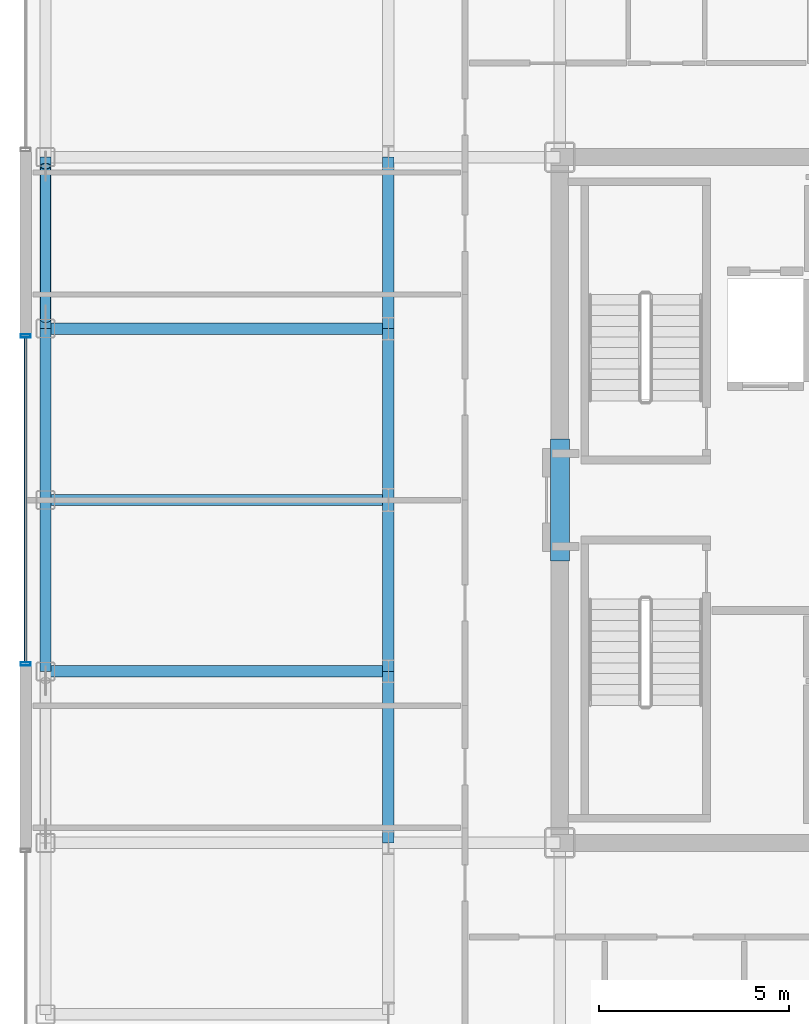
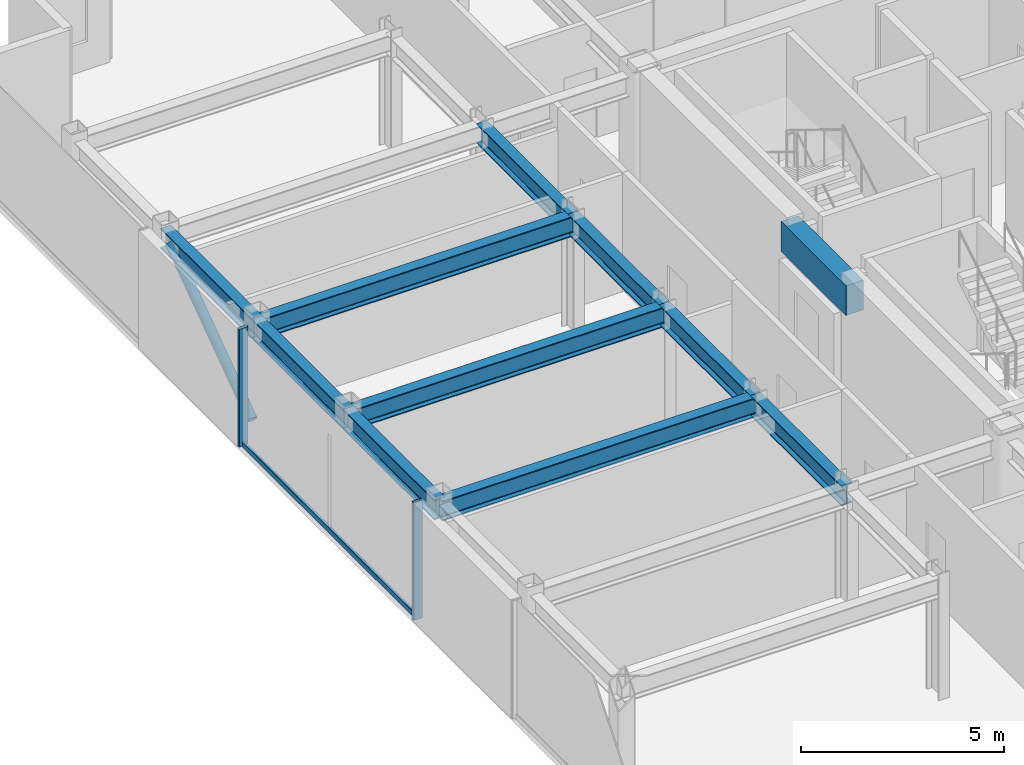
# One storey, part 4 of 18: 11 beams, 4 members, 1 element without a shape of its own.
"""IFC4 building model written with IfcOpenShell, lengths in metres."""

from ifc_helpers import new_model, si_unit, direction, frame, origin, origin_2d, place, context, subcontext, project, spatial, rectangle, hollow_rectangle, hollow_circle, i_section, extrude, source, transform, mapped, material, layer, layer_set, material_profile, profile_set, type_object, element, aggregate, save


model = new_model("IFC4")

# Units and contexts
model_context = context("Model", 3, precision=1e-05, world=origin(), true_north=direction((0.0, 1.0)))
body_context = subcontext(model_context, "Body", "Model", "MODEL_VIEW")
ifc_project = project(units=[si_unit("LENGTHUNIT", "METRE"), si_unit("AREAUNIT", "SQUARE_METRE"), si_unit("VOLUMEUNIT", "CUBIC_METRE"), si_unit("PLANEANGLEUNIT", "RADIAN"), si_unit("MASSUNIT", "GRAM", prefix="KILO")], contexts=[model_context])

# Site, building, storey
site_placement = place(None, origin())
site = spatial("IfcSite", under=ifc_project, at=site_placement, CompositionType="ELEMENT")
building_placement = place(site_placement, origin())
building = spatial("IfcBuilding", under=site, at=building_placement, Name="Nefas-Gora Pilgrimage Tower", CompositionType="ELEMENT")
storey_placement = place(building_placement, frame((0.0, 0.0, 298.800048828125)))
storey = spatial("IfcBuildingStorey", under=building, at=storey_placement, Name="L75", CompositionType="ELEMENT", Elevation=298.800048828125)

# Beams
ifc_material_1 = material(Name="Concrete C50/60", Category="concrete")
ifc_material_profile_1 = material_profile(ifc_material_1, rectangle(XDim=0.5, YDim=0.89990234375, at=origin_2d()), Name="RC 500x900")
ifc_profile_set_1 = profile_set([ifc_material_profile_1], Name="Concrete C50/60")
beam_type_1 = type_object("IfcBeamType", Name="BM-LIN-RC900", PredefinedType="LINTEL", material=ifc_profile_set_1)
shared_shape_1 = source(origin(), body_context, "Body", "SweptSolid", [
    extrude(rectangle(XDim=0.5, YDim=0.89990234375, at=origin_2d()), origin(), (0.0, 0.0, 1.0), 3.2001953125),
])
beam_placement = place(storey_placement, frame((-11.25, -1.60009765625, 3.099853515625), z_axis=(0.0, 1.0, 0.0), x_axis=(-1.0, 0.0, 0.0)))
element("IfcBeam", 1, at=beam_placement, inside=storey, type_object=beam_type_1, Name="L75 Core Coupling Lintel Beam W", PredefinedType="LINTEL", context=body_context, shape_type="MappedRepresentation", body=[
    mapped(shared_shape_1, transform((0.0, 0.0, 0.0), x_axis=(1.0, 0.0, 0.0), y_axis=(0.0, 1.0, 0.0), z_axis=(0.0, 0.0, 1.0), scale=1.0)),
])
ifc_material_2 = material(Name="Steel S355", Category="steel")
ifc_material_profile_2 = material_profile(ifc_material_2, i_section(OverallWidth=0.300048828125, OverallDepth=0.60009765625, WebThickness=0.015380859375, FlangeThickness=0.030029296875, FilletRadius=0.027099609375, at=origin_2d()), Name="HEB 600")
ifc_profile_set_2 = profile_set([ifc_material_profile_2], Name="Steel S355")
beam_type_2 = type_object("IfcBeamType", Name="BM-SPN-HEB450", PredefinedType="SPANDREL", material=ifc_profile_set_2)
shared_shape_2 = source(origin(), body_context, "Body", "SweptSolid", [
    extrude(i_section(OverallWidth=0.300048828125, OverallDepth=0.60009765625, WebThickness=0.015380859375, FlangeThickness=0.030029296875, FilletRadius=0.027099609375, at=origin_2d()), origin(), (0.0, 0.0, 1.0), 4.5),
])
for number, where, z_axis, x_axis, name in (
    (2, (-24.75, -4.5, 3.25), (0.0, 1.0, 0.0), (-1.0, 0.0, 0.0), "L75 SP-03 beam"),
    (3, (-24.75, 0.0, 3.25), (0.0, 1.0, 0.0), (-1.0, 0.0, 0.0), "L75 SP-03 beam"),
    (4, (-24.75, 4.5, 3.25), (0.0, 1.0, 0.0), (-1.0, 0.0, 0.0), "L75 SP-03 beam"),
):
    element("IfcBeam", number, at=place(storey_placement, frame(where, z_axis=z_axis, x_axis=x_axis)), inside=storey, type_object=beam_type_2, Name=name, PredefinedType="SPANDREL", context=body_context, shape_type="MappedRepresentation", body=[
        mapped(shared_shape_2, transform((0.0, 0.0, 0.0), x_axis=(1.0, 0.0, 0.0), y_axis=(0.0, 1.0, 0.0), z_axis=(0.0, 0.0, 1.0), scale=1.0)),
    ])
ifc_material_profile_3 = material_profile(ifc_material_2, i_section(OverallWidth=0.300048828125, OverallDepth=0.60009765625, WebThickness=0.015380859375, FlangeThickness=0.030029296875, FilletRadius=0.027099609375, at=origin_2d()), Name="HEB 600")
ifc_profile_set_3 = profile_set([ifc_material_profile_3], Name="Steel S355")
beam_type_3 = type_object("IfcBeamType", Name="BM-GIR-HEB600", PredefinedType="BEAM", material=ifc_profile_set_3)
shared_shape_3 = source(origin(), body_context, "Body", "SweptSolid", [
    extrude(i_section(OverallWidth=0.300048828125, OverallDepth=0.60009765625, WebThickness=0.015380859375, FlangeThickness=0.030029296875, FilletRadius=0.027099609375, at=origin_2d()), origin(), (0.0, 0.0, 1.0), 9.0),
])
for number, where, z_axis, x_axis, name in (
    (5, (-24.75, -4.5, 3.25), (1.0, 0.0, 0.0), (0.0, 1.0, 0.0), "L75 G-04 beam"),
    (6, (-24.75, 0.0, 3.25), (1.0, 0.0, 0.0), (0.0, 1.0, 0.0), "L75 G-04 beam"),
    (7, (-24.75, 4.5, 3.25), (1.0, 0.0, 0.0), (0.0, 1.0, 0.0), "L75 G-04 beam"),
):
    element("IfcBeam", number, at=place(storey_placement, frame(where, z_axis=z_axis, x_axis=x_axis)), inside=storey, type_object=beam_type_3, Name=name, PredefinedType="BEAM", context=body_context, shape_type="MappedRepresentation", body=[
        mapped(shared_shape_3, transform((0.0, 0.0, 0.0), x_axis=(1.0, 0.0, 0.0), y_axis=(0.0, 1.0, 0.0), z_axis=(0.0, 0.0, 1.0), scale=1.0)),
    ])
shared_shape_4 = source(origin(), body_context, "Body", "SweptSolid", [
    extrude(i_section(OverallWidth=0.300048828125, OverallDepth=0.60009765625, WebThickness=0.015380859375, FlangeThickness=0.030029296875, FilletRadius=0.027099609375, at=origin_2d()), origin(), (0.0, 0.0, 1.0), 4.5),
])
for number, where, z_axis, x_axis, name in (
    (8, (-15.75, -9.0, 3.25), (0.0, 1.0, 0.0), (-1.0, 0.0, 0.0), "L75 G-04 beam"),
    (9, (-15.75, -4.5, 3.25), (0.0, 1.0, 0.0), (-1.0, 0.0, 0.0), "L75 G-04 beam"),
    (10, (-15.75, 0.0, 3.25), (0.0, 1.0, 0.0), (-1.0, 0.0, 0.0), "L75 G-04 beam"),
    (11, (-15.75, 4.5, 3.25), (0.0, 1.0, 0.0), (-1.0, 0.0, 0.0), "L75 G-04 beam"),
):
    element("IfcBeam", number, at=place(storey_placement, frame(where, z_axis=z_axis, x_axis=x_axis)), inside=storey, type_object=beam_type_3, Name=name, PredefinedType="BEAM", context=body_context, shape_type="MappedRepresentation", body=[
        mapped(shared_shape_4, transform((0.0, 0.0, 0.0), x_axis=(1.0, 0.0, 0.0), y_axis=(0.0, 1.0, 0.0), z_axis=(0.0, 0.0, 1.0), scale=1.0)),
    ])

# Member
ifc_material_profile_4 = material_profile(ifc_material_2, hollow_circle(Radius=0.136474609375, WallThickness=0.01611328125, at=origin_2d()), Name="CHS 273x16")
ifc_profile_set_4 = profile_set([ifc_material_profile_4], Name="Steel S355")
member_type_1 = type_object("IfcMemberType", Name="MEM-TUBE-273", PredefinedType="BRACE", material=ifc_profile_set_4)
shared_shape_5 = source(origin(), body_context, "Body", "SweptSolid", [
    extrude(hollow_circle(Radius=0.136474609375, WallThickness=0.01611328125, at=origin_2d()), origin(), (0.0, 0.0, 1.0), 4.947998046875),
])
member_1_placement = place(storey_placement, frame((-24.75, 4.738037109375, 0.3203125), z_axis=(0.0, 0.813239767156, 0.581928759485), x_axis=(-1.0, 0.0, 0.0)))
element("IfcMember", 12, at=member_1_placement, inside=storey, type_object=member_type_1, Name="L75 Perimeter Tube Diagonal Brace W2", PredefinedType="BRACE", context=body_context, shape_type="MappedRepresentation", body=[
    mapped(shared_shape_5, transform((0.0, 0.0, 0.0), x_axis=(1.0, 0.0, 0.0), y_axis=(0.0, 1.0, 0.0), z_axis=(0.0, 0.0, 1.0), scale=1.0)),
])

# Curtain wall, members
ifc_material_3 = material(Name="Dark ceramic-fritted solar-control aluminium-glass curtain wall", Category="aluminium")
ifc_layer = layer(ifc_material_3, 0.219970703125)
ifc_layer_set = layer_set([ifc_layer], Name="Dark ceramic-fritted solar-control aluminium-glass curtain wall")
curtain_wall_type = type_object("IfcCurtainWallType", Name="CW-SYS-4", PredefinedType="NOTDEFINED", material=ifc_layer_set)
curtain_wall_placement = place(storey_placement, origin())
curtain_wall = element("IfcCurtainWall", 13, at=curtain_wall_placement, inside=storey, type_object=curtain_wall_type, Name="L75 Unitised Curtain Wall CW4", PredefinedType="NOTDEFINED")
ifc_material_4 = material(Name="Anodised architectural aluminium", Category="aluminium")
ifc_material_profile_5 = material_profile(ifc_material_4, hollow_rectangle(XDim=0.080078125, YDim=0.159912109375, WallThickness=0.00439453125, InnerFilletRadius=0.00439453125, OuterFilletRadius=0.009033203125, at=origin_2d()), Name="ALU TRANSOM 80x160")
ifc_profile_set_5 = profile_set([ifc_material_profile_5], Name="Anodised architectural aluminium")
member_type_2 = type_object("IfcMemberType", Name="CWM-TRN-4", PredefinedType="USERDEFINED", material=ifc_profile_set_5)
shared_shape_6 = source(origin(), body_context, "Body", "SweptSolid", [
    extrude(hollow_rectangle(XDim=0.080078125, YDim=0.159912109375, WallThickness=0.00439453125, InnerFilletRadius=0.00439453125, OuterFilletRadius=0.009033203125, at=origin_2d()), origin(), (0.0, 0.0, 1.0), 8.52001953125),
])
member_2_placement = place(storey_placement, frame((-25.27001953125, 4.260009765625, 0.050048828125), z_axis=(0.0, -1.0, 0.0), x_axis=(1.0, 0.0, 0.0)))
member_2 = element("IfcMember", 14, at=member_2_placement, type_object=member_type_2, Name="CW4 Spandrel Transom", ObjectType="TRANSOM", PredefinedType="USERDEFINED", context=body_context, shape_type="MappedRepresentation", body=[
    mapped(shared_shape_6, transform((0.0, 0.0, 0.0), x_axis=(1.0, 0.0, 0.0), y_axis=(0.0, 1.0, 0.0), z_axis=(0.0, 0.0, 1.0), scale=1.0)),
])
ifc_material_profile_6 = material_profile(ifc_material_4, hollow_rectangle(XDim=0.090087890625, YDim=0.260009765625, WallThickness=0.006103515625, InnerFilletRadius=0.006103515625, OuterFilletRadius=0.011962890625, at=origin_2d()), Name="ALU MULLION 90x260")
ifc_profile_set_6 = profile_set([ifc_material_profile_6], Name="Anodised architectural aluminium")
member_type_3 = type_object("IfcMemberType", Name="CWM-MUL-4", PredefinedType="MULLION", material=ifc_profile_set_6)
shared_shape_7 = source(origin(), body_context, "Body", "SweptSolid", [
    extrude(hollow_rectangle(XDim=0.090087890625, YDim=0.260009765625, WallThickness=0.006103515625, InnerFilletRadius=0.006103515625, OuterFilletRadius=0.011962890625, at=origin_2d()), origin(), (0.0, 0.0, 1.0), 3.550048828125),
])
member_3_placement = place(storey_placement, frame((-25.27001953125, 4.304931640625, 0.0), z_axis=(0.0, 0.0, 1.0), x_axis=(0.0, -1.0, 0.0)))
member_3 = element("IfcMember", 15, at=member_3_placement, type_object=member_type_3, Name="CW4 Mullion 1", PredefinedType="MULLION", context=body_context, shape_type="MappedRepresentation", body=[
    mapped(shared_shape_7, transform((0.0, 0.0, 0.0), x_axis=(1.0, 0.0, 0.0), y_axis=(0.0, 1.0, 0.0), z_axis=(0.0, 0.0, 1.0), scale=1.0)),
])
member_4_placement = place(storey_placement, frame((-25.27001953125, -4.304931640625, 0.0), z_axis=(0.0, 0.0, 1.0), x_axis=(0.0, -1.0, 0.0)))
member_4 = element("IfcMember", 16, at=member_4_placement, type_object=member_type_3, Name="CW4 Mullion 2", PredefinedType="MULLION", context=body_context, shape_type="MappedRepresentation", body=[
    mapped(shared_shape_7, transform((0.0, 0.0, 0.0), x_axis=(1.0, 0.0, 0.0), y_axis=(0.0, 1.0, 0.0), z_axis=(0.0, 0.0, 1.0), scale=1.0)),
])
aggregate(curtain_wall, [member_3, member_4, member_2])

save(model, "model.ifc")
